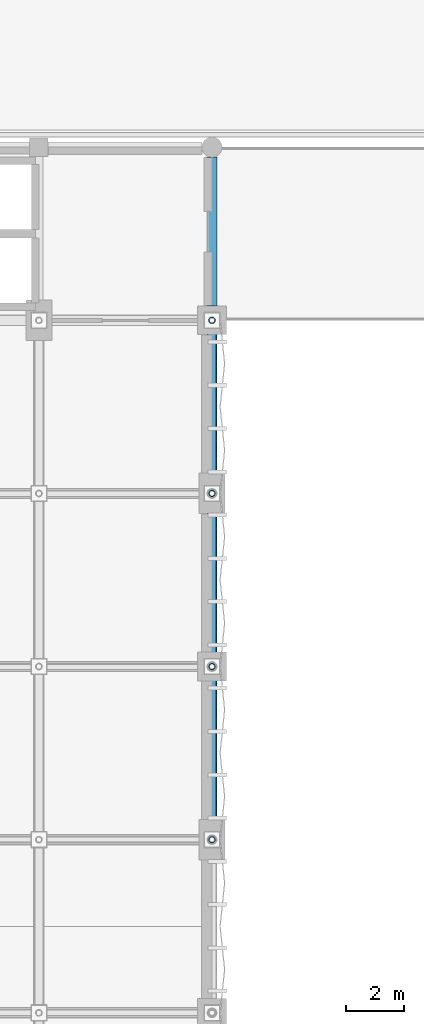
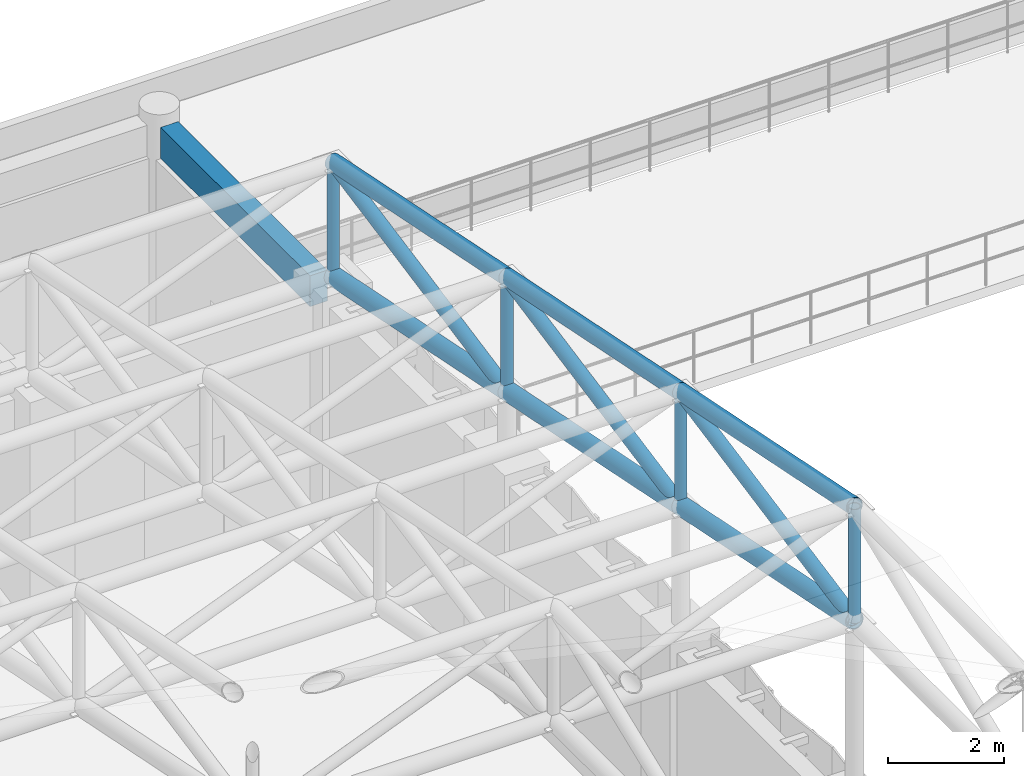
# One storey, part 38 of 112: 13 members, 1 beam.
"""IFC4 building model written with IfcOpenShell, lengths in metres."""

import ifcopenshell
import ifcopenshell.guid

model = None  # the IFC model being written
_history = None  # IfcOwnerHistory: only IFC2X3 demands one
_inside = {}  # id of a spatial element -> (the spatial element, [elements in it])
_under = {}  # id of a project, library or spatial element -> (it, [spatial elements below it])
_declared = {}  # id of a project -> (the project, [libraries it declares])
_typed = {}  # id of a type object -> (the type object, [elements of that type])
_made_of = {}  # id of a material, layer set ... -> (it, [elements and type objects made of it])


def new_model(schema):
    """Start an empty IFC model of exactly this schema.

    Asked for "IFC4X3", IfcOpenShell would pick the latest addendum, in which some entities
    have other attributes; the version numbers below select the first issue.
    IFC2X3 requires an IfcOwnerHistory on every rooted entity: one is made here for all.
    """
    global model, _history
    if schema == "IFC4X3":
        model = ifcopenshell.file(schema_version=(4, 3, 0, 0))
    else:
        model = ifcopenshell.file(schema=schema)
    _inside.clear()
    _under.clear()
    _declared.clear()
    _typed.clear()
    _made_of.clear()
    _history = None
    if model.schema == "IFC2X3":
        org = make("IfcOrganization", Name="unknown")
        user = make(
            "IfcPersonAndOrganization",
            ThePerson=make("IfcPerson", FamilyName="unknown"),
            TheOrganization=org,
        )
        app = make(
            "IfcApplication",
            ApplicationDeveloper=org,
            Version="unknown",
            ApplicationFullName="unknown",
            ApplicationIdentifier="unknown",
        )
        _history = make(
            "IfcOwnerHistory",
            OwningUser=user,
            OwningApplication=app,
            ChangeAction="ADDED",
            CreationDate=0,
        )
    return model


def make(cls, **values):
    """One entity of the class cls with the attributes given. An attribute that is None is left unset."""
    return model.create_entity(
        cls, **{name: value for name, value in values.items() if value is not None}
    )


def rooted(cls, **values):
    """An entity with a GlobalId (a new one), such as an element, a storey or a relation."""
    return make(cls, GlobalId=ifcopenshell.guid.new(), OwnerHistory=_history, **values)


def si_unit(unit_type, name, prefix=None):
    """IfcSIUnit, for example si_unit("LENGTHUNIT", "METRE", prefix="MILLI")."""
    return make("IfcSIUnit", UnitType=unit_type, Prefix=prefix, Name=name)


def assignment(units):
    """IfcUnitAssignment: the units of a project."""
    return None if units is None else make("IfcUnitAssignment", Units=units)


def point(xyz):
    """IfcCartesianPoint."""
    return None if xyz is None else make("IfcCartesianPoint", Coordinates=xyz)


def direction(xyz):
    """IfcDirection."""
    return None if xyz is None else make("IfcDirection", DirectionRatios=xyz)


def frame(location, z_axis=None, x_axis=None):
    """IfcAxis2Placement3D, a coordinate frame: its origin and axes. An axis left out is left unset."""
    return make(
        "IfcAxis2Placement3D",
        Location=point(location),
        Axis=direction(z_axis),
        RefDirection=direction(x_axis),
    )


def frame_2d(location, x_axis=None):
    """IfcAxis2Placement2D, a coordinate frame in the plane: its origin and x axis."""
    return make(
        "IfcAxis2Placement2D", Location=point(location), RefDirection=direction(x_axis)
    )


def origin():
    """The frame at (0, 0, 0) with its axes left unset."""
    return frame((0.0, 0.0, 0.0))


def origin_2d():
    """The frame at (0, 0) in the plane with its x axis left unset."""
    return frame_2d((0.0, 0.0))


def place(relative_to, where):
    """IfcLocalPlacement: puts the frame where relative to a parent placement (None: the world)."""
    return make(
        "IfcLocalPlacement", PlacementRelTo=relative_to, RelativePlacement=where
    )


def context(
    kind, dimensions, precision=None, world=None, true_north=None, identifier=None
):
    """IfcGeometricRepresentationContext, for example the 3D "Model" context."""
    return make(
        "IfcGeometricRepresentationContext",
        ContextIdentifier=identifier,
        ContextType=kind,
        CoordinateSpaceDimension=dimensions,
        Precision=precision,
        WorldCoordinateSystem=world,
        TrueNorth=true_north,
    )


def subcontext(parent, identifier, kind, view, scale=None):
    """IfcGeometricRepresentationSubContext, for example "Body" below "Model"."""
    return make(
        "IfcGeometricRepresentationSubContext",
        ContextIdentifier=identifier,
        ContextType=kind,
        ParentContext=parent,
        TargetScale=scale,
        TargetView=view,
    )


def project(units=None, contexts=None):
    """IfcProject with its units and contexts."""
    return rooted(
        "IfcProject",
        Name="project",
        RepresentationContexts=contexts,
        UnitsInContext=assignment(units),
    )


def spatial(cls, under=None, at=None, **own):
    """A site, building, storey or space (cls), placed at a placement, below another one or the project."""
    s = rooted(cls, ObjectPlacement=at, **own)
    if under is not None:
        _under.setdefault(under.id(), (under, []))[1].append(s)
    return s


def profile(cls, at=None, kind="AREA", **sizes):
    """A parametric profile (cls). Its sizes go by their IFC names, for example OverallWidth=200.0."""
    return make(cls, ProfileType=kind, Position=at, **sizes)


def rectangle(**sizes):
    """IfcRectangleProfileDef."""
    return profile("IfcRectangleProfileDef", **sizes)


def hollow_circle(**sizes):
    """IfcCircleHollowProfileDef."""
    return profile("IfcCircleHollowProfileDef", **sizes)


def extrude(swept, where, along, depth):
    """IfcExtrudedAreaSolid: the profile swept, set in the frame where, extruded along a direction by depth."""
    return make(
        "IfcExtrudedAreaSolid",
        SweptArea=swept,
        Position=where,
        ExtrudedDirection=direction(along),
        Depth=depth,
    )


def shape(context_of_items, identifier, shape_type, items):
    """IfcShapeRepresentation: the items that make up one representation, for example the "Body"."""
    return make(
        "IfcShapeRepresentation",
        ContextOfItems=context_of_items,
        RepresentationIdentifier=identifier,
        RepresentationType=shape_type,
        Items=items,
    )


def material(Name=None, Category=None):
    """IfcMaterial."""
    return make("IfcMaterial", Name=Name, Category=Category)


def material_profile(
    of_material, cross_section, Name=None, Category=None, Priority=None
):
    """IfcMaterialProfile: a cross section and its material."""
    return make(
        "IfcMaterialProfile",
        Name=Name,
        Material=of_material,
        Profile=cross_section,
        Priority=Priority,
        Category=Category,
    )


def profile_set(profiles, Name=None, composite=None):
    """IfcMaterialProfileSet."""
    return make(
        "IfcMaterialProfileSet",
        Name=Name,
        MaterialProfiles=profiles,
        CompositeProfile=composite,
    )


def made_of(thing, what):
    """Note that an element or type object is made of a material, layer set ...; save() writes the relation."""
    if what is not None:
        _made_of.setdefault(what.id(), (what, []))[1].append(thing)
    return thing


def type_object(cls, material=None, **own):
    """A type object (cls), such as IfcWallType, which elements share."""
    return made_of(rooted(cls, **own), material)


def element(
    cls,
    number,
    at=None,
    inside=None,
    cuts=None,
    type_object=None,
    material=None,
    context=None,
    identifier="Body",
    shape_type=None,
    held_by="IfcProductDefinitionShape",
    body=None,
    shapes=None,
    **own,
):
    """One element of the class cls, such as IfcWall. Its Tag is "e" and its number.

    at: its placement. inside: the storey or other place that contains it. cuts: it is an
    opening in that element (IfcRelVoidsElement). A single representation is given by context,
    identifier, shape_type and body (its items); several are given by shapes. held_by: the class
    of the entity that holds the representations. save() writes the other relations.
    """
    e = rooted(cls, Tag="e%d" % number, ObjectPlacement=at, **own)
    if body is not None:
        shapes = [shape(context, identifier, shape_type, body)]
    if shapes is not None:
        e.Representation = make(held_by, Representations=shapes)
    if inside is not None:
        _inside.setdefault(inside.id(), (inside, []))[1].append(e)
    if cuts is not None:
        rooted(
            "IfcRelVoidsElement", RelatingBuildingElement=cuts, RelatedOpeningElement=e
        )
    if type_object is not None:
        _typed.setdefault(type_object.id(), (type_object, []))[1].append(e)
    return made_of(e, material)


def aggregate(whole, parts):
    """IfcRelAggregates: a whole, such as a stair, and the parts it consists of."""
    return rooted("IfcRelAggregates", RelatingObject=whole, RelatedObjects=parts)


def save(model, path):
    """Write the relations noted so far, then the file.

    IfcRelAggregates (storeys below a building ...), IfcRelContainedInSpatialStructure (elements
    in a storey), IfcRelDefinesByType, IfcRelAssociatesMaterial and IfcRelDeclares: one each for
    every whole, place, type object, material and project.
    """
    for whole, parts in _under.values():
        aggregate(whole, parts)
    for where, things in _inside.values():
        rooted(
            "IfcRelContainedInSpatialStructure",
            RelatedElements=things,
            RelatingStructure=where,
        )
    for kind, things in _typed.values():
        rooted("IfcRelDefinesByType", RelatedObjects=things, RelatingType=kind)
    for what, things in _made_of.values():
        rooted("IfcRelAssociatesMaterial", RelatedObjects=things, RelatingMaterial=what)
    for by, libraries in _declared.values():
        rooted("IfcRelDeclares", RelatingContext=by, RelatedDefinitions=libraries)
    model.write(path)


model = new_model("IFC4")

# Units and contexts
model_context = context("Model", 3, precision=1e-05, world=origin(), true_north=direction((0.0, 1.0)))
body_context = subcontext(model_context, "Body", "Model", "MODEL_VIEW")
ifc_project = project(units=[si_unit("LENGTHUNIT", "METRE"), si_unit("AREAUNIT", "SQUARE_METRE"), si_unit("VOLUMEUNIT", "CUBIC_METRE"), si_unit("PLANEANGLEUNIT", "RADIAN"), si_unit("MASSUNIT", "GRAM", prefix="KILO"), si_unit("THERMODYNAMICTEMPERATUREUNIT", "KELVIN"), si_unit("POWERUNIT", "WATT")], contexts=[model_context])

# Site, building, storey
site_placement = place(None, origin())
site = spatial("IfcSite", under=ifc_project, at=site_placement, CompositionType="ELEMENT")
building_placement = place(site_placement, origin())
building = spatial("IfcBuilding", under=site, at=building_placement, Name="Phaisarnlok Congress Hotel", CompositionType="ELEMENT")
storey_placement = place(building_placement, frame((0.0, 0.0, 19.800048828125)))
storey = spatial("IfcBuildingStorey", under=building, at=storey_placement, Name="L04", CompositionType="ELEMENT", Elevation=19.800048828125)

# Members
ifc_material_1 = material(Name="Steel S355", Category="steel")
ifc_material_profile_1 = material_profile(ifc_material_1, hollow_circle(Radius=0.109619140625, WallThickness=0.012451171875, at=origin_2d()), Name="CHS 219.1x12.5")
ifc_profile_set_1 = profile_set([ifc_material_profile_1], Name="Steel S355")
member_type_1 = type_object("IfcMemberType", Name="MEM-BRC-CHS219", PredefinedType="BRACE", material=ifc_profile_set_1)
for number, where, z_axis, x_axis, name in (
    (1, (66.0, 66.0, 8.462158203125), (0.0, 0.0, 1.0), (1.0, 0.0, 0.0), "Congress Hall space frame vertical brace TB-02"),
    (2, (66.0, 72.0, 7.241455078125), (0.0, 0.0, 1.0), (1.0, 0.0, 0.0), "Congress Hall space frame vertical brace TB-02"),
    (3, (66.0, 78.0, 6.020751953125), (0.0, 0.0, 1.0), (1.0, 0.0, 0.0), "Congress Hall space frame vertical brace TB-02"),
    (4, (66.0, 84.0, 4.800048828125), (0.0, 0.0, 1.0), (1.0, 0.0, 0.0), "Congress Hall space frame vertical brace TB-02"),
):
    element("IfcMember", number, at=place(storey_placement, frame(where, z_axis=z_axis, x_axis=x_axis)), inside=storey, type_object=member_type_1, Name=name, PredefinedType="BRACE", context=body_context, shape_type="SweptSolid", body=[
        extrude(hollow_circle(Radius=0.109619140625, WallThickness=0.012451171875, at=origin_2d()), origin(), (0.0, 0.0, 1.0), 2.39990234375),
    ])
ifc_material_profile_2 = material_profile(ifc_material_1, hollow_circle(Radius=0.136474609375, WallThickness=0.01611328125, at=origin_2d()), Name="CHS 273x16")
ifc_profile_set_2 = profile_set([ifc_material_profile_2], Name="Steel S355")
member_type_2 = type_object("IfcMemberType", Name="MEM-BRC-CHS273", PredefinedType="BRACE", material=ifc_profile_set_2)
for number, where, z_axis, x_axis, name in (
    (5, (66.0, 66.0, 8.462158203125), (0.0, 0.981229397887, 0.192844156567), (-1.0, 0.0, 0.0), "Congress Hall space frame raking brace TB-03"),
    (6, (66.0, 72.0, 7.241455078125), (0.0, 0.981229397887, 0.192844156567), (-1.0, 0.0, 0.0), "Congress Hall space frame raking brace TB-03"),
    (7, (66.0, 78.0, 6.020751953125), (0.0, 0.981229397887, 0.192844156567), (-1.0, 0.0, 0.0), "Congress Hall space frame raking brace TB-03"),
):
    element("IfcMember", number, at=place(storey_placement, frame(where, z_axis=z_axis, x_axis=x_axis)), inside=storey, type_object=member_type_2, Name=name, PredefinedType="BRACE", context=body_context, shape_type="SweptSolid", body=[
        extrude(hollow_circle(Radius=0.136474609375, WallThickness=0.01611328125, at=origin_2d()), origin(), (0.0, 0.0, 1.0), 6.11474609375),
    ])
ifc_material_profile_3 = material_profile(ifc_material_1, hollow_circle(Radius=0.161865234375, WallThickness=0.01611328125, at=origin_2d()), Name="CHS 323.9x16")
ifc_profile_set_3 = profile_set([ifc_material_profile_3], Name="Steel S355")
member_type_3 = type_object("IfcMemberType", Name="MEM-CHD-CHS324", PredefinedType="CHORD", material=ifc_profile_set_3)
for number, where, z_axis, x_axis, name in (
    (8, (66.0, 66.0, 10.862060546875), (0.0, 0.979925045119, -0.199366260807), (-1.0, 0.0, 0.0), "Congress Hall space frame top chord TC-02"),
    (9, (66.0, 72.0, 9.641357421875), (0.0, 0.979925045119, -0.199366260807), (-1.0, 0.0, 0.0), "Congress Hall space frame top chord TC-02"),
    (10, (66.0, 78.0, 8.420654296875), (0.0, 0.979925045119, -0.199366260807), (-1.0, 0.0, 0.0), "Congress Hall space frame top chord TC-02"),
):
    element("IfcMember", number, at=place(storey_placement, frame(where, z_axis=z_axis, x_axis=x_axis)), inside=storey, type_object=member_type_3, Name=name, PredefinedType="CHORD", context=body_context, shape_type="SweptSolid", body=[
        extrude(hollow_circle(Radius=0.161865234375, WallThickness=0.01611328125, at=origin_2d()), origin(), (0.0, 0.0, 1.0), 6.122802734375),
    ])
ifc_material_profile_4 = material_profile(ifc_material_1, hollow_circle(Radius=0.177734375, WallThickness=0.02001953125, at=origin_2d()), Name="CHS 355.6x20")
ifc_profile_set_4 = profile_set([ifc_material_profile_4], Name="Steel S355")
member_type_4 = type_object("IfcMemberType", Name="MEM-CHD-CHS356", PredefinedType="CHORD", material=ifc_profile_set_4)
for number, where, z_axis, x_axis, name in (
    (11, (66.0, 66.0, 8.462158203125), (0.0, 0.979925045119, -0.199366260807), (-1.0, 0.0, 0.0), "Congress Hall space frame bottom chord TC-01"),
    (12, (66.0, 72.0, 7.241455078125), (0.0, 0.979925045119, -0.199366260807), (-1.0, 0.0, 0.0), "Congress Hall space frame bottom chord TC-01"),
    (13, (66.0, 78.0, 6.020751953125), (0.0, 0.979925045119, -0.199366260807), (-1.0, 0.0, 0.0), "Congress Hall space frame bottom chord TC-01"),
):
    element("IfcMember", number, at=place(storey_placement, frame(where, z_axis=z_axis, x_axis=x_axis)), inside=storey, type_object=member_type_4, Name=name, PredefinedType="CHORD", context=body_context, shape_type="SweptSolid", body=[
        extrude(hollow_circle(Radius=0.177734375, WallThickness=0.02001953125, at=origin_2d()), origin(), (0.0, 0.0, 1.0), 6.122802734375),
    ])

# Beam
ifc_material_2 = material(Name="Concrete C40/50", Category="concrete")
ifc_material_profile_5 = material_profile(ifc_material_2, rectangle(XDim=0.35009765625, YDim=0.64990234375, at=origin_2d()), Name="RC 350x650")
ifc_profile_set_5 = profile_set([ifc_material_profile_5], Name="Concrete C40/50")
beam_type = type_object("IfcBeamType", Name="SP-RC-350x650", PredefinedType="SPANDREL", material=ifc_profile_set_5)
beam_placement = place(storey_placement, frame((66.0, 84.4951171875, 4.23486328125), z_axis=(0.0, 1.0, 0.0), x_axis=(-1.0, 0.0, 0.0)))
element("IfcBeam", 14, at=beam_placement, inside=storey, type_object=beam_type, Name="Beam SP-01", PredefinedType="SPANDREL", context=body_context, shape_type="SweptSolid", body=[
    extrude(rectangle(XDim=0.35009765625, YDim=0.64990234375, at=origin_2d()), origin(), (0.0, 0.0, 1.0), 5.159912109375),
])

save(model, "model.ifc")
